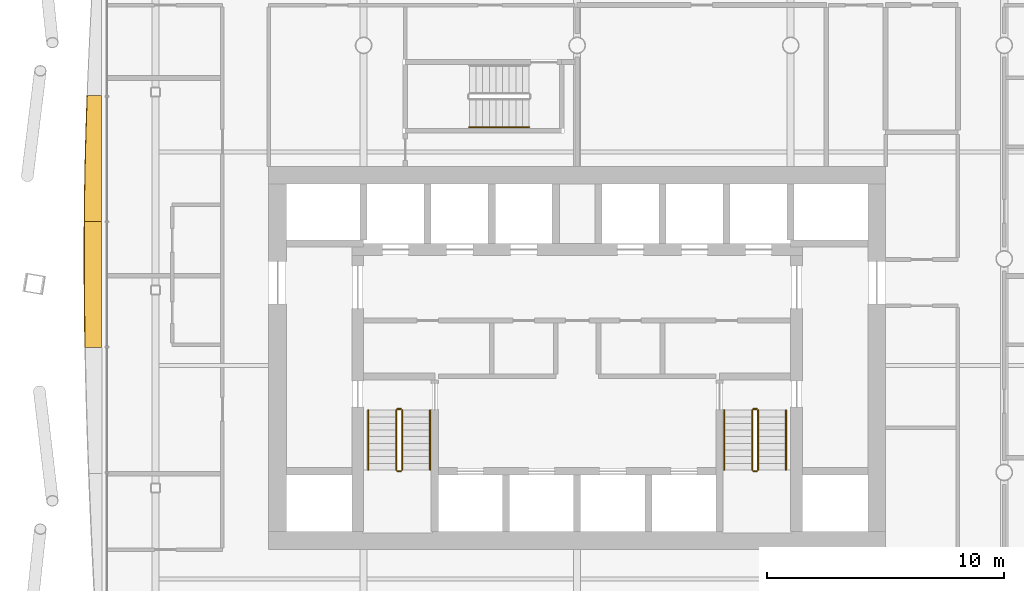
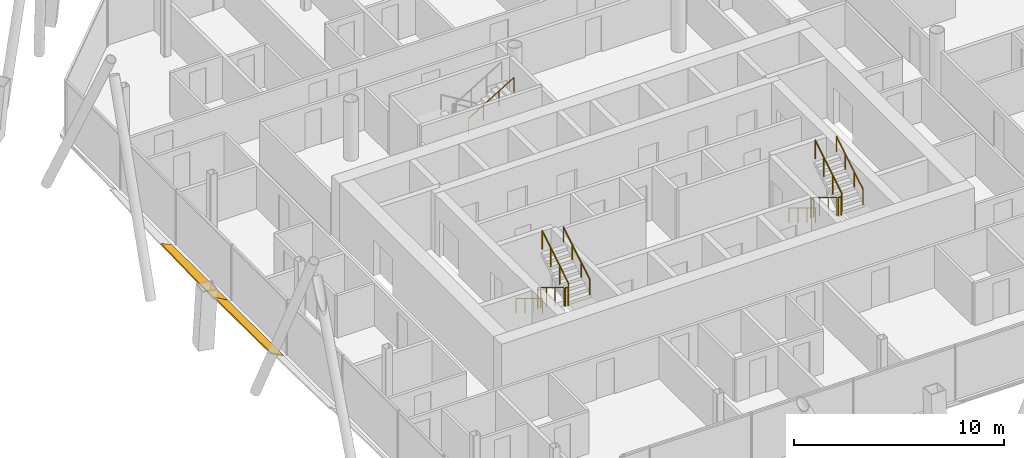
# One storey, part 20 of 23: 13 railings, 2 shading devices.
"""IFC4 building model written with IfcOpenShell, lengths in metres."""

from ifc_helpers import new_model, si_unit, direction, frame, origin, origin_2d, place, context, subcontext, project, spatial, polyline, circle, outline, extrude, material, layer, layer_set, type_object, element, save


model = new_model("IFC4")

# Units and contexts
model_context = context("Model", 3, precision=1e-05, world=origin(), true_north=direction((0.0, 1.0)))
body_context = subcontext(model_context, "Body", "Model", "MODEL_VIEW")
ifc_project = project(units=[si_unit("LENGTHUNIT", "METRE"), si_unit("AREAUNIT", "SQUARE_METRE"), si_unit("VOLUMEUNIT", "CUBIC_METRE"), si_unit("PLANEANGLEUNIT", "RADIAN"), si_unit("MASSUNIT", "GRAM", prefix="KILO")], contexts=[model_context])

# Site, building, storey
site_placement = place(None, origin())
site = spatial("IfcSite", under=ifc_project, at=site_placement, CompositionType="ELEMENT")
building_placement = place(site_placement, origin())
building = spatial("IfcBuilding", under=site, at=building_placement, Name="Tskaro Facet Tower", CompositionType="ELEMENT")
storey_placement = place(building_placement, frame((0.0, 0.0, 131.699951171875)))
storey = spatial("IfcBuildingStorey", under=building, at=storey_placement, Name="L31", CompositionType="ELEMENT", Elevation=131.699951171875)

# Shading devices
ifc_material_1 = material(Name="Bronze anodised aluminium 6063-T6", Category="aluminium")
ifc_layer = layer(ifc_material_1, 0.06005859375, Name="Bronze anodised aluminium 6063-T6")
ifc_layer_set = layer_set([ifc_layer], Name="Bronze anodised aluminium 6063-T6")
shading_device_type = type_object("IfcShadingDeviceType", Name="Bronze sun blade (FN1)", PredefinedType="USERDEFINED", material=ifc_layer_set)
shading_device_1_placement = place(storey_placement, frame((-20.044677734375, 6.896240234375, 0.054443359375), z_axis=(0.422647002519, -8.552108e-06, 0.906294384396), x_axis=(-3.614523e-06, -0.999999999963, -7.750727e-06)))
element("IfcShadingDevice", 1, at=shading_device_1_placement, inside=storey, type_object=shading_device_type, Name="Fin blade west 3", ObjectType="FIN", PredefinedType="USERDEFINED", context=body_context, shape_type="SweptSolid", body=[
    extrude(outline(polyline([(0.0, 0.0), (5.314697265430646, -2.2508618443333574e-21), (5.314697265522254, -0.8000635791665414), (4.650390625694823, -0.7927480617318374), (3.9860839837294924, -0.782585907031786), (3.3217773442932472, -0.7695920077371293), (2.6574707027191025, -0.753751471177125), (1.992919921156784, -0.7351823753258689), (1.328613280856276, -0.7138847201833607), (0.6643066411925864, -0.6898585057496003), (-7.363674996703955e-10, -0.6635313659087428), (0.0, 0.0)])), origin(), (0.0, 0.0, -1.0), 0.06005859375),
])
shading_device_2_placement = place(storey_placement, frame((-20.0400390625, 1.58154296875, 0.052001953125), z_axis=(0.499997975397, -1.6372084e-05, 0.866026572532), x_axis=(-8.186009e-06, -0.999999999866, -1.417866e-05)))
element("IfcShadingDevice", 2, at=shading_device_2_placement, inside=storey, type_object=shading_device_type, Name="Fin blade west 4", ObjectType="FIN", PredefinedType="USERDEFINED", context=body_context, shape_type="SweptSolid", body=[
    extrude(outline(polyline([(0.0, 0.0), (5.314941405537678, -4.501930483819853e-21), (5.314941407450718, -0.8019634460191797), (4.650634764849133, -0.8144402811164849), (3.9863281255657212, -0.8248267412416579), (3.3220214841403592, -0.8330334639442142), (2.657470701411128, -0.8387269471372127), (1.9931640606264998, -0.8421186230893661), (1.3288574231600447, -0.8434199240693873), (1.3181152356614845, -0.8434199240693873), (0.6645507810176136, -0.8417851210024248), (-9.656370637869182e-10, -0.8373035763389631), (0.0, 0.0)])), origin(), (0.0, 0.0, -1.0), 0.06005859375),
])

# Railings
ifc_material_2 = material(Name="Stainless steel", Category="steel")
railing_type_1 = type_object("IfcRailingType", Name="RL-GUARD-1100", PredefinedType="GUARDRAIL", material=ifc_material_2)
railing_1_placement = place(storey_placement, frame((-7.625, -6.375, 0.170166015625)))
element("IfcRailing", 3, at=railing_1_placement, inside=storey, type_object=railing_type_1, Name="L31 ST-1 stair guard 1", PredefinedType="GUARDRAIL", context=body_context, shape_type="SweptSolid", body=[
    extrude(circle(Radius=0.02392578125, at=origin_2d()), frame((0.0, 0.0, 1.076171875), z_axis=(0.0, -0.854821627497, 0.518921945155), x_axis=(1.0, 0.0, 0.0)), (0.0, 0.0, 1.0), 2.947998046875),
    extrude(circle(Radius=0.02099609375, at=origin_2d()), origin(), (0.0, 0.0, 1.0), 1.052001953125),
    extrude(circle(Radius=0.02099609375, at=origin_2d()), frame((0.0, -0.840087890625, 0.510009765625)), (0.0, 0.0, 1.0), 1.052001953125),
    extrude(circle(Radius=0.02099609375, at=origin_2d()), frame((0.0, -1.679931640625, 1.019775390625)), (0.0, 0.0, 1.0), 1.052001953125),
    extrude(circle(Radius=0.02099609375, at=origin_2d()), frame((0.0, -2.52001953125, 1.52978515625)), (0.0, 0.0, 1.0), 1.052001953125),
])
railing_2_placement = place(storey_placement, frame((-7.574951171875, -8.945068359375, 1.699951171875)))
element("IfcRailing", 4, at=railing_2_placement, inside=storey, type_object=railing_type_1, Name="L31 ST-1 stair guard 2", PredefinedType="GUARDRAIL", context=body_context, shape_type="SweptSolid", body=[
    extrude(circle(Radius=0.02392578125, at=origin_2d()), frame((0.0, 0.0, 1.076171875), z_axis=(1.0, 0.0, 0.0), x_axis=(0.0, 1.0, 0.0)), (0.0, 0.0, 1.0), 0.14990234375),
    extrude(circle(Radius=0.02099609375, at=origin_2d()), origin(), (0.0, 0.0, 1.0), 1.052001953125),
    extrude(circle(Radius=0.02099609375, at=origin_2d()), frame((0.14990234375, 0.0, 0.0)), (0.0, 0.0, 1.0), 1.052001953125),
])
railing_3_placement = place(storey_placement, frame((-7.375, -8.89501953125, 1.8701171875)))
element("IfcRailing", 5, at=railing_3_placement, inside=storey, type_object=railing_type_1, Name="L31 ST-1 stair guard 3", PredefinedType="GUARDRAIL", context=body_context, shape_type="SweptSolid", body=[
    extrude(circle(Radius=0.02392578125, at=origin_2d()), frame((0.0, 0.0, 1.076171875), z_axis=(0.0, 0.85478489116, 0.518982456201), x_axis=(-1.0, 0.0, 0.0)), (0.0, 0.0, 1.0), 2.9482421875),
    extrude(circle(Radius=0.02099609375, at=origin_2d()), origin(), (0.0, 0.0, 1.0), 1.052001953125),
    extrude(circle(Radius=0.02099609375, at=origin_2d()), frame((0.0, 0.840087890625, 0.510009765625)), (0.0, 0.0, 1.0), 1.052001953125),
    extrude(circle(Radius=0.02099609375, at=origin_2d()), frame((0.0, 1.679931640625, 1.02001953125)), (0.0, 0.0, 1.0), 1.052001953125),
    extrude(circle(Radius=0.02099609375, at=origin_2d()), frame((0.0, 2.52001953125, 1.530029296875)), (0.0, 0.0, 1.0), 1.052001953125),
])
railing_4_placement = place(storey_placement, frame((-7.574951171875, -6.324951171875, 0.0)))
element("IfcRailing", 6, at=railing_4_placement, inside=storey, type_object=railing_type_1, Name="L31 ST-1 stair guard 4", PredefinedType="GUARDRAIL", context=body_context, shape_type="SweptSolid", body=[
    extrude(circle(Radius=0.02392578125, at=origin_2d()), frame((0.0, 0.0, 1.076171875), z_axis=(1.0, 0.0, 0.0), x_axis=(0.0, 1.0, 0.0)), (0.0, 0.0, 1.0), 0.14990234375),
    extrude(circle(Radius=0.02099609375, at=origin_2d()), origin(), (0.0, 0.0, 1.0), 1.052001953125),
    extrude(circle(Radius=0.02099609375, at=origin_2d()), frame((0.14990234375, 0.0, 0.0)), (0.0, 0.0, 1.0), 1.052001953125),
])
railing_5_placement = place(storey_placement, frame((7.375, -6.375, 0.170166015625)))
element("IfcRailing", 7, at=railing_5_placement, inside=storey, type_object=railing_type_1, Name="L31 ST-2 stair guard 1", PredefinedType="GUARDRAIL", context=body_context, shape_type="SweptSolid", body=[
    extrude(circle(Radius=0.02392578125, at=origin_2d()), frame((0.0, 0.0, 1.076171875), z_axis=(0.0, -0.854821627497, 0.518921945155), x_axis=(1.0, 0.0, 0.0)), (0.0, 0.0, 1.0), 2.947998046875),
    extrude(circle(Radius=0.02099609375, at=origin_2d()), origin(), (0.0, 0.0, 1.0), 1.052001953125),
    extrude(circle(Radius=0.02099609375, at=origin_2d()), frame((0.0, -0.840087890625, 0.510009765625)), (0.0, 0.0, 1.0), 1.052001953125),
    extrude(circle(Radius=0.02099609375, at=origin_2d()), frame((0.0, -1.679931640625, 1.019775390625)), (0.0, 0.0, 1.0), 1.052001953125),
    extrude(circle(Radius=0.02099609375, at=origin_2d()), frame((0.0, -2.52001953125, 1.52978515625)), (0.0, 0.0, 1.0), 1.052001953125),
])
railing_6_placement = place(storey_placement, frame((7.425048828125, -8.945068359375, 1.699951171875)))
element("IfcRailing", 8, at=railing_6_placement, inside=storey, type_object=railing_type_1, Name="L31 ST-2 stair guard 2", PredefinedType="GUARDRAIL", context=body_context, shape_type="SweptSolid", body=[
    extrude(circle(Radius=0.02392578125, at=origin_2d()), frame((0.0, 0.0, 1.076171875), z_axis=(1.0, 0.0, 0.0), x_axis=(0.0, 1.0, 0.0)), (0.0, 0.0, 1.0), 0.14990234375),
    extrude(circle(Radius=0.02099609375, at=origin_2d()), origin(), (0.0, 0.0, 1.0), 1.052001953125),
    extrude(circle(Radius=0.02099609375, at=origin_2d()), frame((0.14990234375, 0.0, 0.0)), (0.0, 0.0, 1.0), 1.052001953125),
])
railing_7_placement = place(storey_placement, frame((7.625, -8.89501953125, 1.8701171875)))
element("IfcRailing", 9, at=railing_7_placement, inside=storey, type_object=railing_type_1, Name="L31 ST-2 stair guard 3", PredefinedType="GUARDRAIL", context=body_context, shape_type="SweptSolid", body=[
    extrude(circle(Radius=0.02392578125, at=origin_2d()), frame((0.0, 0.0, 1.076171875), z_axis=(0.0, 0.85478489116, 0.518982456201), x_axis=(-1.0, 0.0, 0.0)), (0.0, 0.0, 1.0), 2.9482421875),
    extrude(circle(Radius=0.02099609375, at=origin_2d()), origin(), (0.0, 0.0, 1.0), 1.052001953125),
    extrude(circle(Radius=0.02099609375, at=origin_2d()), frame((0.0, 0.840087890625, 0.510009765625)), (0.0, 0.0, 1.0), 1.052001953125),
    extrude(circle(Radius=0.02099609375, at=origin_2d()), frame((0.0, 1.679931640625, 1.02001953125)), (0.0, 0.0, 1.0), 1.052001953125),
    extrude(circle(Radius=0.02099609375, at=origin_2d()), frame((0.0, 2.52001953125, 1.530029296875)), (0.0, 0.0, 1.0), 1.052001953125),
])
railing_8_placement = place(storey_placement, frame((7.425048828125, -6.324951171875, 0.0)))
element("IfcRailing", 10, at=railing_8_placement, inside=storey, type_object=railing_type_1, Name="L31 ST-2 stair guard 4", PredefinedType="GUARDRAIL", context=body_context, shape_type="SweptSolid", body=[
    extrude(circle(Radius=0.02392578125, at=origin_2d()), frame((0.0, 0.0, 1.076171875), z_axis=(1.0, 0.0, 0.0), x_axis=(0.0, 1.0, 0.0)), (0.0, 0.0, 1.0), 0.14990234375),
    extrude(circle(Radius=0.02099609375, at=origin_2d()), origin(), (0.0, 0.0, 1.0), 1.052001953125),
    extrude(circle(Radius=0.02099609375, at=origin_2d()), frame((0.14990234375, 0.0, 0.0)), (0.0, 0.0, 1.0), 1.052001953125),
])
railing_type_2 = type_object("IfcRailingType", Name="RL-HANDRAIL-900", PredefinedType="HANDRAIL", material=ifc_material_2)
railing_9_placement = place(storey_placement, frame((-8.800048828125, -6.375, 0.170166015625)))
element("IfcRailing", 11, at=railing_9_placement, inside=storey, type_object=railing_type_2, Name="L31 ST-1 stair handrail 1", PredefinedType="HANDRAIL", context=body_context, shape_type="SweptSolid", body=[
    extrude(circle(Radius=0.02392578125, at=origin_2d()), frame((0.0, 0.0, 0.8759765625), z_axis=(0.0, -0.854821627497, 0.518921945155), x_axis=(1.0, 0.0, 0.0)), (0.0, 0.0, 1.0), 2.947998046875),
    extrude(circle(Radius=0.02099609375, at=origin_2d()), origin(), (0.0, 0.0, 1.0), 0.851806640625),
    extrude(circle(Radius=0.02099609375, at=origin_2d()), frame((0.0, -0.840087890625, 0.510009765625)), (0.0, 0.0, 1.0), 0.851806640625),
    extrude(circle(Radius=0.02099609375, at=origin_2d()), frame((0.0, -1.679931640625, 1.019775390625)), (0.0, 0.0, 1.0), 0.851806640625),
    extrude(circle(Radius=0.02099609375, at=origin_2d()), frame((0.0, -2.52001953125, 1.52978515625)), (0.0, 0.0, 1.0), 0.851806640625),
])
railing_10_placement = place(storey_placement, frame((-6.199951171875, -8.89501953125, 1.8701171875)))
element("IfcRailing", 12, at=railing_10_placement, inside=storey, type_object=railing_type_2, Name="L31 ST-1 stair handrail 2", PredefinedType="HANDRAIL", context=body_context, shape_type="SweptSolid", body=[
    extrude(circle(Radius=0.02392578125, at=origin_2d()), frame((0.0, 0.0, 0.8759765625), z_axis=(0.0, 0.85478489116, 0.518982456201), x_axis=(-1.0, 0.0, 0.0)), (0.0, 0.0, 1.0), 2.9482421875),
    extrude(circle(Radius=0.02099609375, at=origin_2d()), origin(), (0.0, 0.0, 1.0), 0.851806640625),
    extrude(circle(Radius=0.02099609375, at=origin_2d()), frame((0.0, 0.840087890625, 0.510009765625)), (0.0, 0.0, 1.0), 0.851806640625),
    extrude(circle(Radius=0.02099609375, at=origin_2d()), frame((0.0, 1.679931640625, 1.02001953125)), (0.0, 0.0, 1.0), 0.851806640625),
    extrude(circle(Radius=0.02099609375, at=origin_2d()), frame((0.0, 2.52001953125, 1.530029296875)), (0.0, 0.0, 1.0), 0.851806640625),
])
railing_11_placement = place(storey_placement, frame((6.199951171875, -6.375, 0.170166015625)))
element("IfcRailing", 13, at=railing_11_placement, inside=storey, type_object=railing_type_2, Name="L31 ST-2 stair handrail 1", PredefinedType="HANDRAIL", context=body_context, shape_type="SweptSolid", body=[
    extrude(circle(Radius=0.02392578125, at=origin_2d()), frame((0.0, 0.0, 0.8759765625), z_axis=(0.0, -0.854821627497, 0.518921945155), x_axis=(1.0, 0.0, 0.0)), (0.0, 0.0, 1.0), 2.947998046875),
    extrude(circle(Radius=0.02099609375, at=origin_2d()), origin(), (0.0, 0.0, 1.0), 0.851806640625),
    extrude(circle(Radius=0.02099609375, at=origin_2d()), frame((0.0, -0.840087890625, 0.510009765625)), (0.0, 0.0, 1.0), 0.851806640625),
    extrude(circle(Radius=0.02099609375, at=origin_2d()), frame((0.0, -1.679931640625, 1.019775390625)), (0.0, 0.0, 1.0), 0.851806640625),
    extrude(circle(Radius=0.02099609375, at=origin_2d()), frame((0.0, -2.52001953125, 1.52978515625)), (0.0, 0.0, 1.0), 0.851806640625),
])
railing_12_placement = place(storey_placement, frame((8.800048828125, -8.89501953125, 1.8701171875)))
element("IfcRailing", 14, at=railing_12_placement, inside=storey, type_object=railing_type_2, Name="L31 ST-2 stair handrail 2", PredefinedType="HANDRAIL", context=body_context, shape_type="SweptSolid", body=[
    extrude(circle(Radius=0.02392578125, at=origin_2d()), frame((0.0, 0.0, 0.8759765625), z_axis=(0.0, 0.85478489116, 0.518982456201), x_axis=(-1.0, 0.0, 0.0)), (0.0, 0.0, 1.0), 2.9482421875),
    extrude(circle(Radius=0.02099609375, at=origin_2d()), origin(), (0.0, 0.0, 1.0), 0.851806640625),
    extrude(circle(Radius=0.02099609375, at=origin_2d()), frame((0.0, 0.840087890625, 0.510009765625)), (0.0, 0.0, 1.0), 0.851806640625),
    extrude(circle(Radius=0.02099609375, at=origin_2d()), frame((0.0, 1.679931640625, 1.02001953125)), (0.0, 0.0, 1.0), 0.851806640625),
    extrude(circle(Radius=0.02099609375, at=origin_2d()), frame((0.0, 2.52001953125, 1.530029296875)), (0.0, 0.0, 1.0), 0.851806640625),
])
railing_13_placement = place(storey_placement, frame((-4.544921875, 5.550048828125, 1.8701171875)))
element("IfcRailing", 15, at=railing_13_placement, inside=storey, type_object=railing_type_2, Name="L31 ST-3 stair handrail 2", PredefinedType="HANDRAIL", context=body_context, shape_type="SweptSolid", body=[
    extrude(circle(Radius=0.02392578125, at=origin_2d()), frame((0.0, 0.0, 0.8759765625), z_axis=(0.85478489116, 0.0, 0.518982456201), x_axis=(0.0, 1.0, 0.0)), (0.0, 0.0, 1.0), 2.9482421875),
    extrude(circle(Radius=0.02099609375, at=origin_2d()), origin(), (0.0, 0.0, 1.0), 0.851806640625),
    extrude(circle(Radius=0.02099609375, at=origin_2d()), frame((0.840087890625, 0.0, 0.510009765625)), (0.0, 0.0, 1.0), 0.851806640625),
    extrude(circle(Radius=0.02099609375, at=origin_2d()), frame((1.679931640625, 0.0, 1.02001953125)), (0.0, 0.0, 1.0), 0.851806640625),
    extrude(circle(Radius=0.02099609375, at=origin_2d()), frame((2.52001953125, 0.0, 1.530029296875)), (0.0, 0.0, 1.0), 0.851806640625),
])

save(model, "model.ifc")
